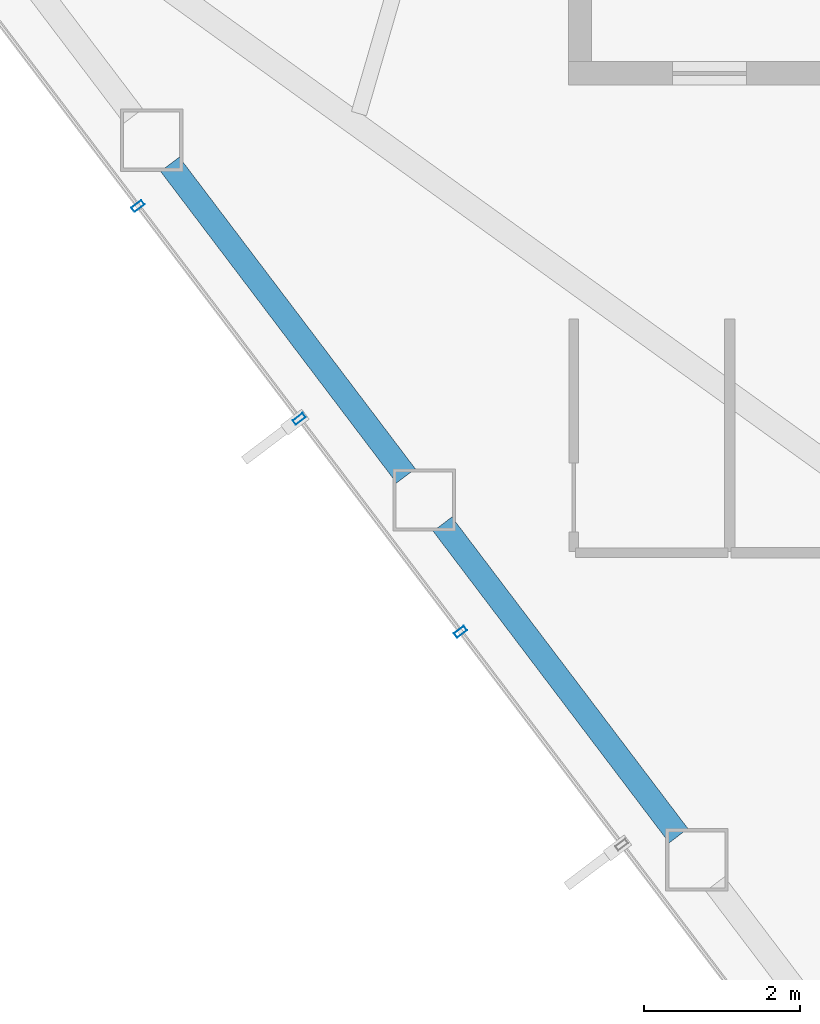
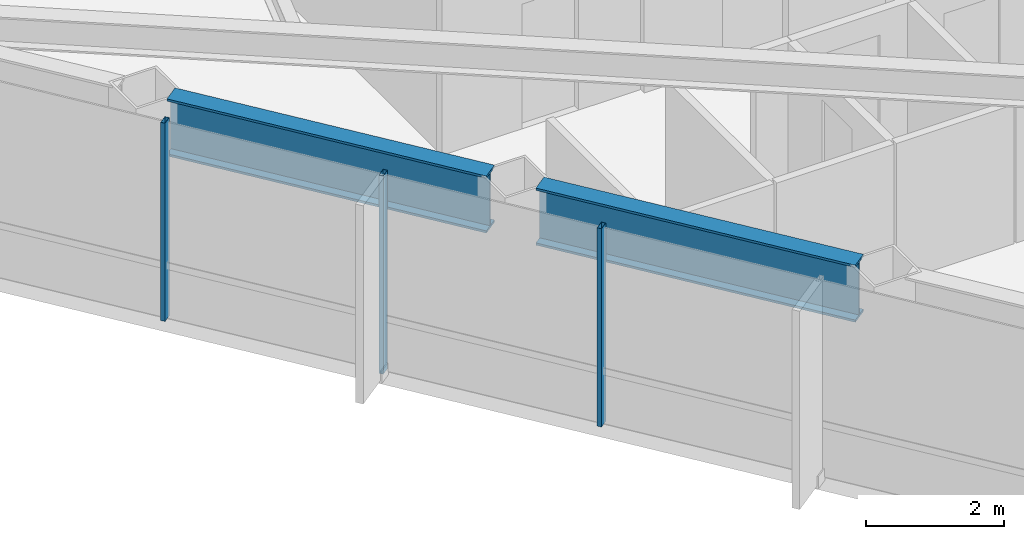
# One storey, part 4 of 29: 3 members, 2 beams, 1 element without a shape of its own.
"""IFC4 building model written with IfcOpenShell, lengths in metres."""

from ifc_helpers import new_model, si_unit, direction, frame, origin, origin_2d, place, context, subcontext, project, spatial, hollow_rectangle, i_section, extrude, material, layer, layer_set, material_profile, profile_set, type_object, element, aggregate, save


model = new_model("IFC4")

# Units and contexts
model_context = context("Model", 3, precision=1e-05, world=origin(), true_north=direction((0.0, 1.0)))
body_context = subcontext(model_context, "Body", "Model", "MODEL_VIEW")
ifc_project = project(units=[si_unit("LENGTHUNIT", "METRE"), si_unit("AREAUNIT", "SQUARE_METRE"), si_unit("VOLUMEUNIT", "CUBIC_METRE"), si_unit("PLANEANGLEUNIT", "RADIAN"), si_unit("MASSUNIT", "GRAM", prefix="KILO")], contexts=[model_context])

# Site, building, storey
site_placement = place(None, origin())
site = spatial("IfcSite", under=ifc_project, at=site_placement, CompositionType="ELEMENT")
building_placement = place(site_placement, origin())
building = spatial("IfcBuilding", under=site, at=building_placement, Name="Zarrinselat Tower", CompositionType="ELEMENT")
storey_placement = place(building_placement, frame((0.0, 0.0, 134.639892578125)))
storey = spatial("IfcBuildingStorey", under=building, at=storey_placement, Name="L32", CompositionType="ELEMENT", Elevation=134.639892578125)

# Beams
ifc_material_1 = material(Name="Steel S460M", Category="steel")
ifc_material_profile_1 = material_profile(ifc_material_1, i_section(OverallWidth=0.302001953125, OverallDepth=1.008056640625, WebThickness=0.02099609375, FlangeThickness=0.0400390625, at=origin_2d()), Name="HEM 1000")
ifc_profile_set_1 = profile_set([ifc_material_profile_1], Name="Steel S460M")
beam_type = type_object("IfcBeamType", Name="BM-HEM1000", PredefinedType="BEAM", material=ifc_profile_set_1)
beam_1_placement = place(storey_placement, frame((19.96923828125, 32.135009765625, 2.99609375), z_axis=(0.603848315912, -0.797099248131, 0.0), x_axis=(0.797099248131, 0.603848315912, 0.0)))
element("IfcBeam", 1, at=beam_1_placement, inside=storey, type_object=beam_type, Name="L32 Perimeter Spandrel Girder SP07", PredefinedType="BEAM", context=body_context, shape_type="SweptSolid", body=[
    extrude(i_section(OverallWidth=0.302001953125, OverallDepth=1.008056640625, WebThickness=0.02099609375, FlangeThickness=0.0400390625, at=origin_2d()), origin(), (0.0, 0.0, 1.0), 5.015380859375),
])
beam_2_placement = place(storey_placement, frame((23.46630859375, 27.518798828125, 2.99609375), z_axis=(0.60387174651, -0.797081497569, 0.0), x_axis=(0.797081497569, 0.60387174651, 0.0)))
element("IfcBeam", 2, at=beam_2_placement, inside=storey, type_object=beam_type, Name="L32 Perimeter Spandrel Girder SP08", PredefinedType="BEAM", context=body_context, shape_type="SweptSolid", body=[
    extrude(i_section(OverallWidth=0.302001953125, OverallDepth=1.008056640625, WebThickness=0.02099609375, FlangeThickness=0.0400390625, at=origin_2d()), origin(), (0.0, 0.0, 1.0), 5.01513671875),
])

# Curtain wall, members
ifc_material_2 = material(Name="Extruded Aluminium Alloy EN AW-6063 T6", Category="aluminium")
ifc_layer = layer(ifc_material_2, 0.175048828125)
ifc_layer_set = layer_set([ifc_layer], Name="Extruded Aluminium Alloy EN AW-6063 T6")
curtain_wall_type = type_object("IfcCurtainWallType", Name="CWS-HTL", PredefinedType="NOTDEFINED", material=ifc_layer_set)
curtain_wall_placement = place(storey_placement, origin())
curtain_wall = element("IfcCurtainWall", 3, at=curtain_wall_placement, inside=storey, type_object=curtain_wall_type, Name="L32 Unitised Curtain Wall CW-L32-E03", PredefinedType="NOTDEFINED")
ifc_material_3 = material(Name="Extruded Aluminium Alloy EN AW-6063 T6", Category="aluminium")
ifc_material_profile_2 = material_profile(ifc_material_3, hollow_rectangle(XDim=0.070068359375, YDim=0.159912109375, WallThickness=0.00390625, at=origin_2d()), Name="RHS 160x70x4")
ifc_profile_set_2 = profile_set([ifc_material_profile_2], Name="Extruded Aluminium Alloy EN AW-6063 T6")
member_type = type_object("IfcMemberType", Name="MEM-CW-MUL2", PredefinedType="MULLION", material=ifc_profile_set_2)
member_1_placement = place(storey_placement, frame((19.559814453125, 31.59912109375, 0.0), z_axis=(0.0, 0.0, 1.0), x_axis=(0.603855520216, -0.797093790407, 0.0)))
member_1 = element("IfcMember", 4, at=member_1_placement, type_object=member_type, Name="CW-L32-E03 Mullion 2", PredefinedType="MULLION", context=body_context, shape_type="SweptSolid", body=[
    extrude(hollow_rectangle(XDim=0.070068359375, YDim=0.159912109375, WallThickness=0.00390625, at=origin_2d()), origin(), (0.0, 0.0, 1.0), 3.5),
])
member_2_placement = place(storey_placement, frame((21.62841796875, 28.868408203125, 0.0), z_axis=(0.0, 0.0, 1.0), x_axis=(0.603855520216, -0.797093790407, 0.0)))
member_2 = element("IfcMember", 5, at=member_2_placement, type_object=member_type, Name="CW-L32-E03 Mullion 3", PredefinedType="MULLION", context=body_context, shape_type="SweptSolid", body=[
    extrude(hollow_rectangle(XDim=0.070068359375, YDim=0.159912109375, WallThickness=0.00390625, at=origin_2d()), origin(), (0.0, 0.0, 1.0), 3.5),
])
member_3_placement = place(storey_placement, frame((23.697021484375, 26.1376953125, 0.0), z_axis=(0.0, 0.0, 1.0), x_axis=(0.603855520216, -0.797093790407, 0.0)))
member_3 = element("IfcMember", 6, at=member_3_placement, type_object=member_type, Name="CW-L32-E03 Mullion 4", PredefinedType="MULLION", context=body_context, shape_type="SweptSolid", body=[
    extrude(hollow_rectangle(XDim=0.070068359375, YDim=0.159912109375, WallThickness=0.00390625, at=origin_2d()), origin(), (0.0, 0.0, 1.0), 3.5),
])
aggregate(curtain_wall, [member_1, member_2, member_3])

save(model, "model.ifc")
